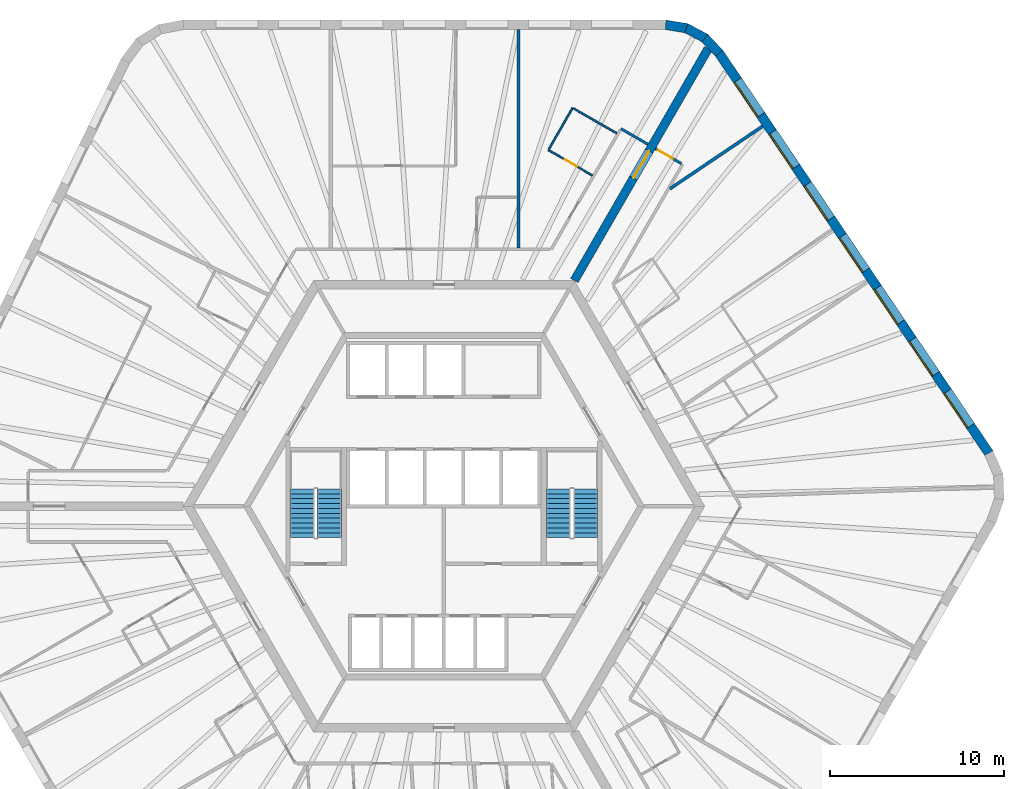
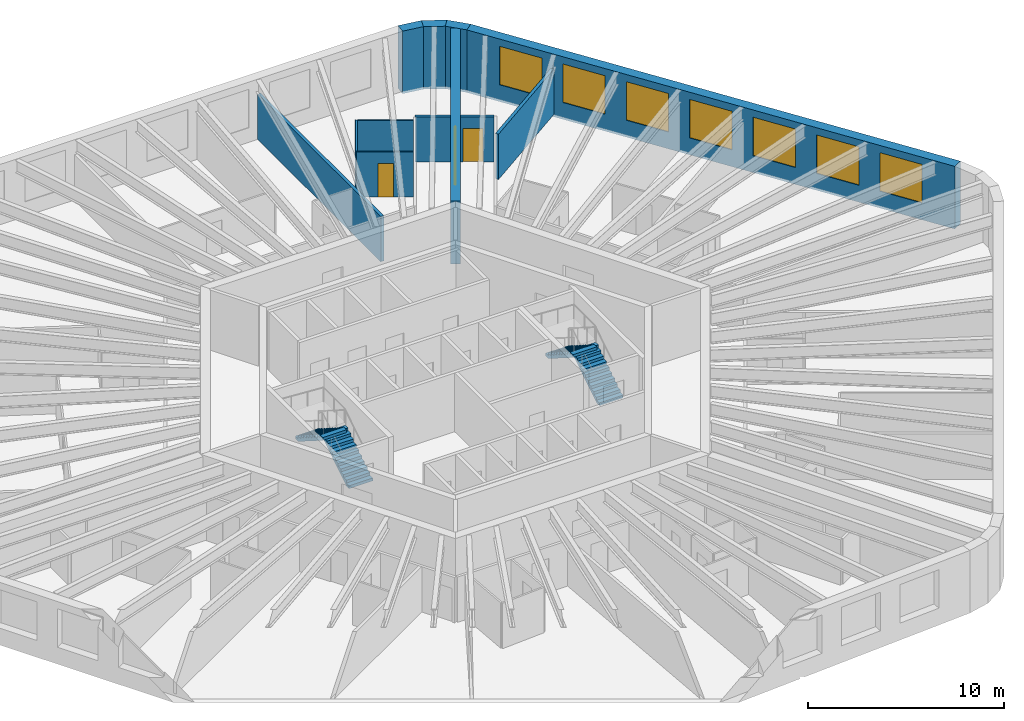
# One storey, part 9 of 10: 12 walls, 7 windows, 4 stair flights, 3 doors, 10 openings, 2 elements without a shape of their own.
"""IFC4 building model written with IfcOpenShell, lengths in metres."""

from ifc_helpers import new_model, si_unit, direction, frame, frame_2d, origin, place, context, subcontext, project, spatial, polyline, rectangle, outline, extrude, material, layer, layer_set, type_object, element, fill, aggregate, save


model = new_model("IFC4")

# Units and contexts
model_context = context("Model", 3, precision=1e-05, world=origin(), true_north=direction((0.0, 1.0)))
body_context = subcontext(model_context, "Body", "Model", "MODEL_VIEW")
ifc_project = project(units=[si_unit("LENGTHUNIT", "METRE"), si_unit("AREAUNIT", "SQUARE_METRE"), si_unit("VOLUMEUNIT", "CUBIC_METRE"), si_unit("PLANEANGLEUNIT", "RADIAN"), si_unit("MASSUNIT", "GRAM", prefix="KILO")], contexts=[model_context])

# Site, building, storey
site_placement = place(None, origin())
site = spatial("IfcSite", under=ifc_project, at=site_placement, CompositionType="ELEMENT")
building_placement = place(site_placement, origin())
building = spatial("IfcBuilding", under=site, at=building_placement, Name="Tarnside Tower", CompositionType="ELEMENT")
storey_placement = place(building_placement, frame((0.0, 0.0, 156.60009765625)))
storey = spatial("IfcBuildingStorey", under=building, at=storey_placement, Name="L36", CompositionType="ELEMENT", Elevation=156.60009765625)

# Wall, opening, door
ifc_material_1 = material(Name="Gypsum board partition on steel studs", Category="steel")
ifc_layer_1 = layer(ifc_material_1, 0.10009765625)
ifc_layer_set_1 = layer_set([ifc_layer_1], Name="Bathroom wall 100")
wall_type_1 = type_object("IfcWallType", Name="Bathroom wall 100", PredefinedType="PARTITIONING", material=ifc_layer_set_1)
wall_1_placement = place(storey_placement, frame((8.546142578125, 19.052490234375, 0.0), z_axis=(0.0, 0.0, 1.0), x_axis=(-0.866046596414, 0.499963291492, 0.0)))
wall_1 = element("IfcWall", 1, at=wall_1_placement, inside=storey, type_object=wall_type_1, Name="Bathroom wall 11048", PredefinedType="PARTITIONING", context=body_context, shape_type="SweptSolid", body=[
    extrude(rectangle(XDim=2.925048828125, YDim=0.10009765625, at=frame_2d((1.46240234375, 0.0))), origin(), (0.0, 0.0, 1.0), 2.8232421875),
])
opening_1_placement = place(wall_1_placement, frame((1.02490234375, 0.0, 0.0)))
opening_1 = element("IfcOpeningElement", 2, at=opening_1_placement, cuts=wall_1, Name="Opening D-B1", PredefinedType="OPENING", context=body_context, shape_type="SweptSolid", body=[
    extrude(rectangle(XDim=0.800048828125, YDim=2.10009765625, at=frame_2d((0.39990234375, 1.050048828125))), frame((0.0, 0.06005859375, 0.0), z_axis=(0.0, -1.0, 0.0), x_axis=(1.0, 0.0, 0.0)), (0.0, 0.0, 1.0), 0.1201171875),
])
ifc_material_2 = material(Name="Timber door leaf", Category="wood")
door_type_1 = type_object("IfcDoorType", Name="Bathroom door 800", OperationType="NOTDEFINED", PredefinedType="DOOR", material=ifc_material_2)
door_1_placement = place(opening_1_placement, origin())
door_1 = element("IfcDoor", 3, at=door_1_placement, inside=storey, type_object=door_type_1, Name="Bathroom door 11002", OperationType="SINGLE_SWING_RIGHT", OverallHeight=2.10009765625, OverallWidth=0.800048828125, PredefinedType="DOOR", context=body_context, shape_type="SweptSolid", body=[
    extrude(rectangle(XDim=0.800048828125, YDim=2.10009765625, at=frame_2d((0.39990234375, 1.050048828125))), frame((0.0, 0.02490234375, 0.0), z_axis=(0.0, -1.0, 0.0), x_axis=(1.0, 0.0, 0.0)), (0.0, 0.0, 1.0), 0.050048828125),
])
fill(opening_1, door_1)

# Walls
wall_2_placement = place(storey_placement, frame((6.0380859375, 20.55810546875, 0.0), z_axis=(0.0, 0.0, 1.0), x_axis=(0.499996545922, 0.866027397988, 0.0)))
element("IfcWall", 4, at=wall_2_placement, inside=storey, type_object=wall_type_1, Name="Bathroom wall 11049", PredefinedType="PARTITIONING", context=body_context, shape_type="SweptSolid", body=[
    extrude(rectangle(XDim=2.75, YDim=0.10009765625, at=frame_2d((1.375, 0.0))), origin(), (0.0, 0.0, 1.0), 2.8232421875),
])
wall_3_placement = place(storey_placement, frame((7.456298828125, 22.914794921875, 0.0), z_axis=(0.0, 0.0, 1.0), x_axis=(0.866018712932, -0.500011588718, 0.0)))
element("IfcWall", 5, at=wall_3_placement, inside=storey, type_object=wall_type_1, Name="Bathroom wall 11050", PredefinedType="PARTITIONING", context=body_context, shape_type="SweptSolid", body=[
    extrude(rectangle(XDim=2.875, YDim=0.10009765625, at=frame_2d((1.4375, 0.0))), origin(), (0.0, 0.0, 1.0), 2.8232421875),
])

# Wall, opening, door
ifc_material_3 = material(Name="Concrete C70/85", Category="concrete")
ifc_layer_2 = layer(ifc_material_3, 0.5)
ifc_layer_set_2 = layer_set([ifc_layer_2], Name="Core wall Z2 500 C70/85")
wall_type_2 = type_object("IfcWallType", Name="Core wall Z2 500 C70/85", PredefinedType="SHEAR", material=ifc_layer_set_2)
wall_4_placement = place(storey_placement, frame((7.505615234375, 13.0, -0.150146484375), z_axis=(0.0, 0.0, 1.0), x_axis=(0.499988271576, 0.866032175087, 0.0)))
wall_4 = element("IfcWall", 6, at=wall_4_placement, inside=storey, type_object=wall_type_2, Name="L36 spine wall 1", PredefinedType="SHEAR", context=body_context, shape_type="SweptSolid", body=[
    extrude(rectangle(XDim=15.423583984375, YDim=0.5, at=frame_2d((7.7119140625, 0.0))), origin(), (0.0, 0.0, 1.0), 3.900146484375),
])
opening_2_placement = place(wall_4_placement, frame((6.811767578125, 0.0, 0.14990234375)))
opening_2 = element("IfcOpeningElement", 7, at=opening_2_placement, cuts=wall_4, Name="Opening CD-SPN", PredefinedType="OPENING", context=body_context, shape_type="SweptSolid", body=[
    extrude(rectangle(XDim=1.800048828125, YDim=2.39990234375, at=frame_2d((0.89990234375, 1.199951171875))), frame((0.0, 0.260009765625, 0.0), z_axis=(0.0, -1.0, 0.0), x_axis=(1.0, 0.0, 0.0)), (0.0, 0.0, 1.0), 0.52001953125),
])
ifc_material_4 = material(Name="Steel fire door", Category="steel")
door_type_2 = type_object("IfcDoorType", Name="Spine passage double door FD60 1800x2400", OperationType="NOTDEFINED", PredefinedType="DOOR", material=ifc_material_4)
door_2_placement = place(opening_2_placement, origin())
door_2 = element("IfcDoor", 8, at=door_2_placement, inside=storey, type_object=door_type_2, Name="L36 spine passage door 1", OperationType="DOUBLE_DOOR_SINGLE_SWING", OverallHeight=2.39990234375, OverallWidth=1.800048828125, PredefinedType="DOOR", context=body_context, shape_type="SweptSolid", body=[
    extrude(rectangle(XDim=1.800048828125, YDim=2.39990234375, at=frame_2d((0.89990234375, 1.199951171875))), frame((0.0, 0.02490234375, 0.0), z_axis=(0.0, -1.0, 0.0), x_axis=(1.0, 0.0, 0.0)), (0.0, 0.0, 1.0), 0.050048828125),
])
fill(opening_2, door_2)

# Wall
ifc_layer_3 = layer(ifc_material_1, 0.14990234375)
ifc_layer_set_3 = layer_set([ifc_layer_3], Name="Corridor wall 150 EI 60")
wall_type_3 = type_object("IfcWallType", Name="Corridor wall 150 EI 60", PredefinedType="PARTITIONING", material=ifc_layer_set_3)
wall_5_placement = place(storey_placement, frame((11.744873046875, 20.8427734375, 0.0), z_axis=(0.0, 0.0, 1.0), x_axis=(-0.865989075817, 0.500062916607, 0.0)))
element("IfcWall", 9, at=wall_5_placement, inside=storey, type_object=wall_type_3, Name="Corridor wall 11003", PredefinedType="PARTITIONING", context=body_context, shape_type="SweptSolid", body=[
    extrude(rectangle(XDim=1.800048828125, YDim=0.14990234375, at=frame_2d((0.89990234375, 0.0))), origin(), (0.0, 0.0, 1.0), 2.8232421875),
])

# Wall, opening, door
wall_6_placement = place(storey_placement, frame((13.671875, 19.73046875, 0.0), z_axis=(0.0, 0.0, 1.0), x_axis=(-0.866074815912, 0.499914405916, 0.0)))
wall_6 = element("IfcWall", 10, at=wall_6_placement, inside=storey, type_object=wall_type_3, Name="Corridor wall 11047", PredefinedType="PARTITIONING", context=body_context, shape_type="SweptSolid", body=[
    extrude(rectangle(XDim=1.724853515625, YDim=0.14990234375, at=frame_2d((0.8623046875, 0.0))), origin(), (0.0, 0.0, 1.0), 2.8232421875),
])
opening_3_placement = place(wall_6_placement, frame((0.574951171875, 0.0, 0.0)))
opening_3 = element("IfcOpeningElement", 11, at=opening_3_placement, cuts=wall_6, Name="Opening D-E1", PredefinedType="OPENING", context=body_context, shape_type="SweptSolid", body=[
    extrude(rectangle(XDim=1.0, YDim=2.10009765625, at=frame_2d((0.5, 1.050048828125))), frame((0.0, 0.0849609375, 0.0), z_axis=(0.0, -1.0, 0.0), x_axis=(1.0, 0.0, 0.0)), (0.0, 0.0, 1.0), 0.169921875),
])
door_type_3 = type_object("IfcDoorType", Name="Unit entrance door 1000 FD30S", OperationType="NOTDEFINED", PredefinedType="DOOR", material=ifc_material_2)
door_3_placement = place(opening_3_placement, origin())
door_3 = element("IfcDoor", 12, at=door_3_placement, inside=storey, type_object=door_type_3, Name="Unit door 11037", OperationType="SINGLE_SWING_LEFT", OverallHeight=2.10009765625, OverallWidth=1.0, PredefinedType="DOOR", context=body_context, shape_type="SweptSolid", body=[
    extrude(rectangle(XDim=1.0, YDim=2.10009765625, at=frame_2d((0.5, 1.050048828125))), frame((0.0, 0.02490234375, 0.0), z_axis=(0.0, -1.0, 0.0), x_axis=(1.0, 0.0, 0.0)), (0.0, 0.0, 1.0), 0.050048828125),
])
fill(opening_3, door_3)

# Walls
ifc_layer_4 = layer(ifc_material_1, 0.179931640625)
ifc_layer_set_4 = layer_set([ifc_layer_4], Name="Demising wall 180 EI 60")
wall_type_4 = type_object("IfcWallType", Name="Demising wall 180 EI 60", PredefinedType="PARTITIONING", material=ifc_layer_set_4)
wall_7_placement = place(storey_placement, frame((4.2822265625, 27.449951171875, 0.0), z_axis=(0.0, 0.0, 1.0), x_axis=(0.0, -1.0, 0.0)))
element("IfcWall", 13, at=wall_7_placement, inside=storey, type_object=wall_type_4, Name="Demising wall 11051", PredefinedType="PARTITIONING", context=body_context, shape_type="SweptSolid", body=[
    extrude(rectangle(XDim=12.574951171875, YDim=0.179931640625, at=frame_2d((6.28759765625, 0.0))), origin(), (0.0, 0.0, 1.0), 2.8232421875),
])
wall_8_placement = place(storey_placement, frame((18.349609375, 21.88427734375, 0.0), z_axis=(0.0, 0.0, 1.0), x_axis=(-0.829047205772, -0.559178621374, 0.0)))
element("IfcWall", 14, at=wall_8_placement, inside=storey, type_object=wall_type_4, Name="Demising wall 11119", PredefinedType="PARTITIONING", context=body_context, shape_type="SweptSolid", body=[
    extrude(rectangle(XDim=6.442138671875, YDim=0.179931640625, at=frame_2d((3.22119140625, 0.0))), origin(), (0.0, 0.0, 1.0), 2.8232421875),
])

# Wall, openings, windows
ifc_material_5 = material(Name="Facing brick", Category="masonry")
ifc_layer_5 = layer(ifc_material_5, 0.10205078125)
ifc_material_6 = material(Name="Concrete C60/75 precast", Category="concrete")
ifc_layer_6 = layer(ifc_material_6, 0.347900390625)
ifc_material_7 = material(Name="Mineral wool insulation")
ifc_layer_7 = layer(ifc_material_7, 0.10009765625)
ifc_layer_set_5 = layer_set([ifc_layer_5, ifc_layer_6, ifc_layer_7], Name="Tube wall 550 brick faced")
wall_type_5 = type_object("IfcWallType", Name="Tube wall 550 brick faced", PredefinedType="SOLIDWALL", material=ifc_layer_set_5)
wall_9_placement = place(storey_placement, frame((31.37109375, 3.070556640625, -0.150146484375), z_axis=(0.0, 0.0, 1.0), x_axis=(-0.559189891278, 0.829039604297, 0.0)))
wall_9 = element("IfcWall", 15, at=wall_9_placement, inside=storey, type_object=wall_type_5, Name="Tube wall L36 F6 flush 20", PredefinedType="SOLIDWALL", context=body_context, shape_type="SweptSolid", body=[
    extrude(outline(polyline([(-0.025634765625, -0.27490234375), (27.780517578125, -0.27490234375), (27.735595703125, 0.27490234375), (0.025634765625, 0.27490234375), (-0.025634765625, -0.27490234375)])), origin(), (0.0, 0.0, 1.0), 3.900146484375),
])
opening_4_placement = place(wall_9_placement, frame((1.87890625, 0.0, 1.050048828125)))
opening_4 = element("IfcOpeningElement", 16, at=opening_4_placement, cuts=wall_9, Name="Opening WH", PredefinedType="OPENING", context=body_context, shape_type="SweptSolid", body=[
    extrude(rectangle(XDim=2.39990234375, YDim=2.39990234375, at=frame_2d((1.199951171875, 1.199951171875))), frame((0.0, 0.28515625, 0.0), z_axis=(0.0, -1.0, 0.0), x_axis=(1.0, 0.0, 0.0)), (0.0, 0.0, 1.0), 0.570068359375),
])
opening_5_placement = place(wall_9_placement, frame((5.47900390625, 0.0, 1.050048828125)))
opening_5 = element("IfcOpeningElement", 17, at=opening_5_placement, cuts=wall_9, Name="Opening WH", PredefinedType="OPENING", context=body_context, shape_type="SweptSolid", body=[
    extrude(rectangle(XDim=2.39990234375, YDim=2.39990234375, at=frame_2d((1.199951171875, 1.199951171875))), frame((0.0, 0.28515625, 0.0), z_axis=(0.0, -1.0, 0.0), x_axis=(1.0, 0.0, 0.0)), (0.0, 0.0, 1.0), 0.570068359375),
])
opening_6_placement = place(wall_9_placement, frame((9.078857421875, 0.0, 1.050048828125)))
opening_6 = element("IfcOpeningElement", 18, at=opening_6_placement, cuts=wall_9, Name="Opening WH", PredefinedType="OPENING", context=body_context, shape_type="SweptSolid", body=[
    extrude(rectangle(XDim=2.39990234375, YDim=2.39990234375, at=frame_2d((1.199951171875, 1.199951171875))), frame((0.0, 0.28515625, 0.0), z_axis=(0.0, -1.0, 0.0), x_axis=(1.0, 0.0, 0.0)), (0.0, 0.0, 1.0), 0.570068359375),
])
opening_7_placement = place(wall_9_placement, frame((12.678955078125, 0.0, 1.050048828125)))
opening_7 = element("IfcOpeningElement", 19, at=opening_7_placement, cuts=wall_9, Name="Opening WH", PredefinedType="OPENING", context=body_context, shape_type="SweptSolid", body=[
    extrude(rectangle(XDim=2.39990234375, YDim=2.39990234375, at=frame_2d((1.199951171875, 1.199951171875))), frame((0.0, 0.28515625, 0.0), z_axis=(0.0, -1.0, 0.0), x_axis=(1.0, 0.0, 0.0)), (0.0, 0.0, 1.0), 0.570068359375),
])
opening_8_placement = place(wall_9_placement, frame((16.27880859375, 0.0, 1.050048828125)))
opening_8 = element("IfcOpeningElement", 20, at=opening_8_placement, cuts=wall_9, Name="Opening WH", PredefinedType="OPENING", context=body_context, shape_type="SweptSolid", body=[
    extrude(rectangle(XDim=2.39990234375, YDim=2.39990234375, at=frame_2d((1.199951171875, 1.199951171875))), frame((0.0, 0.28515625, 0.0), z_axis=(0.0, -1.0, 0.0), x_axis=(1.0, 0.0, 0.0)), (0.0, 0.0, 1.0), 0.570068359375),
])
opening_9_placement = place(wall_9_placement, frame((19.87890625, 0.0, 1.050048828125)))
opening_9 = element("IfcOpeningElement", 21, at=opening_9_placement, cuts=wall_9, Name="Opening WH", PredefinedType="OPENING", context=body_context, shape_type="SweptSolid", body=[
    extrude(rectangle(XDim=2.39990234375, YDim=2.39990234375, at=frame_2d((1.199951171875, 1.199951171875))), frame((0.0, 0.28515625, 0.0), z_axis=(0.0, -1.0, 0.0), x_axis=(1.0, 0.0, 0.0)), (0.0, 0.0, 1.0), 0.570068359375),
])
opening_10_placement = place(wall_9_placement, frame((23.47900390625, 0.0, 1.050048828125)))
opening_10 = element("IfcOpeningElement", 22, at=opening_10_placement, cuts=wall_9, Name="Opening WH", PredefinedType="OPENING", context=body_context, shape_type="SweptSolid", body=[
    extrude(rectangle(XDim=2.39990234375, YDim=2.39990234375, at=frame_2d((1.199951171875, 1.199951171875))), frame((0.0, 0.28515625, 0.0), z_axis=(0.0, -1.0, 0.0), x_axis=(1.0, 0.0, 0.0)), (0.0, 0.0, 1.0), 0.570068359375),
])
ifc_material_8 = material(Name="Aluminium-framed double glazing", Category="aluminium")
window_type = type_object("IfcWindowType", Name="Hotel window 2400 x 2400", PartitioningType="DOUBLE_PANEL_VERTICAL", PredefinedType="WINDOW", material=ifc_material_8)
window_1_placement = place(opening_4_placement, frame((0.0, 0.205078125, 0.0)))
window_1 = element("IfcWindow", 23, at=window_1_placement, inside=storey, type_object=window_type, Name="E.WN.L36.F6.00", OverallHeight=2.39990234375, OverallWidth=2.39990234375, PartitioningType="DOUBLE_PANEL_VERTICAL", PredefinedType="WINDOW", context=body_context, shape_type="SweptSolid", body=[
    extrude(rectangle(XDim=2.39990234375, YDim=2.39990234375, at=frame_2d((1.199951171875, 1.199951171875))), frame((0.0, 0.030029296875, 0.0), z_axis=(0.0, -1.0, 0.0), x_axis=(1.0, 0.0, 0.0)), (0.0, 0.0, 1.0), 0.06005859375),
])
fill(opening_4, window_1)
window_2_placement = place(opening_5_placement, frame((0.0, 0.205078125, 0.0)))
window_2 = element("IfcWindow", 24, at=window_2_placement, inside=storey, type_object=window_type, Name="E.WN.L36.F6.01", OverallHeight=2.39990234375, OverallWidth=2.39990234375, PartitioningType="DOUBLE_PANEL_VERTICAL", PredefinedType="WINDOW", context=body_context, shape_type="SweptSolid", body=[
    extrude(rectangle(XDim=2.39990234375, YDim=2.39990234375, at=frame_2d((1.199951171875, 1.199951171875))), frame((0.0, 0.030029296875, 0.0), z_axis=(0.0, -1.0, 0.0), x_axis=(1.0, 0.0, 0.0)), (0.0, 0.0, 1.0), 0.06005859375),
])
fill(opening_5, window_2)
window_3_placement = place(opening_6_placement, frame((0.0, 0.205078125, 0.0)))
window_3 = element("IfcWindow", 25, at=window_3_placement, inside=storey, type_object=window_type, Name="E.WN.L36.F6.02", OverallHeight=2.39990234375, OverallWidth=2.39990234375, PartitioningType="DOUBLE_PANEL_VERTICAL", PredefinedType="WINDOW", context=body_context, shape_type="SweptSolid", body=[
    extrude(rectangle(XDim=2.39990234375, YDim=2.39990234375, at=frame_2d((1.199951171875, 1.199951171875))), frame((0.0, 0.030029296875, 0.0), z_axis=(0.0, -1.0, 0.0), x_axis=(1.0, 0.0, 0.0)), (0.0, 0.0, 1.0), 0.06005859375),
])
fill(opening_6, window_3)
window_4_placement = place(opening_7_placement, frame((0.0, 0.205078125, 0.0)))
window_4 = element("IfcWindow", 26, at=window_4_placement, inside=storey, type_object=window_type, Name="E.WN.L36.F6.03", OverallHeight=2.39990234375, OverallWidth=2.39990234375, PartitioningType="DOUBLE_PANEL_VERTICAL", PredefinedType="WINDOW", context=body_context, shape_type="SweptSolid", body=[
    extrude(rectangle(XDim=2.39990234375, YDim=2.39990234375, at=frame_2d((1.199951171875, 1.199951171875))), frame((0.0, 0.030029296875, 0.0), z_axis=(0.0, -1.0, 0.0), x_axis=(1.0, 0.0, 0.0)), (0.0, 0.0, 1.0), 0.06005859375),
])
fill(opening_7, window_4)
window_5_placement = place(opening_8_placement, frame((0.0, 0.205078125, 0.0)))
window_5 = element("IfcWindow", 27, at=window_5_placement, inside=storey, type_object=window_type, Name="E.WN.L36.F6.04", OverallHeight=2.39990234375, OverallWidth=2.39990234375, PartitioningType="DOUBLE_PANEL_VERTICAL", PredefinedType="WINDOW", context=body_context, shape_type="SweptSolid", body=[
    extrude(rectangle(XDim=2.39990234375, YDim=2.39990234375, at=frame_2d((1.199951171875, 1.199951171875))), frame((0.0, 0.030029296875, 0.0), z_axis=(0.0, -1.0, 0.0), x_axis=(1.0, 0.0, 0.0)), (0.0, 0.0, 1.0), 0.06005859375),
])
fill(opening_8, window_5)
window_6_placement = place(opening_9_placement, frame((0.0, 0.205078125, 0.0)))
window_6 = element("IfcWindow", 28, at=window_6_placement, inside=storey, type_object=window_type, Name="E.WN.L36.F6.05", OverallHeight=2.39990234375, OverallWidth=2.39990234375, PartitioningType="DOUBLE_PANEL_VERTICAL", PredefinedType="WINDOW", context=body_context, shape_type="SweptSolid", body=[
    extrude(rectangle(XDim=2.39990234375, YDim=2.39990234375, at=frame_2d((1.199951171875, 1.199951171875))), frame((0.0, 0.030029296875, 0.0), z_axis=(0.0, -1.0, 0.0), x_axis=(1.0, 0.0, 0.0)), (0.0, 0.0, 1.0), 0.06005859375),
])
fill(opening_9, window_6)
window_7_placement = place(opening_10_placement, frame((0.0, 0.205078125, 0.0)))
window_7 = element("IfcWindow", 29, at=window_7_placement, inside=storey, type_object=window_type, Name="E.WN.L36.F6.06", OverallHeight=2.39990234375, OverallWidth=2.39990234375, PartitioningType="DOUBLE_PANEL_VERTICAL", PredefinedType="WINDOW", context=body_context, shape_type="SweptSolid", body=[
    extrude(rectangle(XDim=2.39990234375, YDim=2.39990234375, at=frame_2d((1.199951171875, 1.199951171875))), frame((0.0, 0.030029296875, 0.0), z_axis=(0.0, -1.0, 0.0), x_axis=(1.0, 0.0, 0.0)), (0.0, 0.0, 1.0), 0.06005859375),
])
fill(opening_10, window_7)

# Walls
wall_10_placement = place(storey_placement, frame((15.84912109375, 26.0830078125, -0.150146484375), z_axis=(0.0, 0.0, 1.0), x_axis=(-0.686196220404, 0.727416488061, 0.0)))
element("IfcWall", 30, at=wall_10_placement, inside=storey, type_object=wall_type_5, Name="Tube wall L36 F6 chord 21", PredefinedType="SOLIDWALL", context=body_context, shape_type="SweptSolid", body=[
    extrude(outline(polyline([(-0.0224609375, -0.27490234375), (1.25341796875, -0.27490234375), (1.1630859375, 0.27490234375), (0.0224609375, 0.27490234375), (-0.0224609375, -0.27490234375)])), origin(), (0.0, 0.0, 1.0), 3.900146484375),
])
wall_11_placement = place(storey_placement, frame((15.02001953125, 26.9619140625, -0.150146484375), z_axis=(0.0, 0.0, 1.0), x_axis=(-0.882950818639, 0.469465495926, 0.0)))
element("IfcWall", 31, at=wall_11_placement, inside=storey, type_object=wall_type_5, Name="Tube wall L36 F6 chord 22", PredefinedType="SOLIDWALL", context=body_context, shape_type="SweptSolid", body=[
    extrude(outline(polyline([(-0.045166015625, -0.27490234375), (1.253173828125, -0.27490234375), (1.162841796875, 0.27490234375), (0.045166015625, 0.27490234375), (-0.045166015625, -0.27490234375)])), origin(), (0.0, 0.0, 1.0), 3.900146484375),
])
wall_12_placement = place(storey_placement, frame((13.953369140625, 27.529052734375, -0.150146484375), z_axis=(0.0, 0.0, 1.0), x_axis=(-0.986751945211, 0.162236243244, 0.0)))
element("IfcWall", 32, at=wall_12_placement, inside=storey, type_object=wall_type_5, Name="Tube wall L36 F6 chord 23", PredefinedType="SOLIDWALL", context=body_context, shape_type="SweptSolid", body=[
    extrude(outline(polyline([(-0.045166015625, -0.27490234375), (1.23095703125, -0.27490234375), (1.18603515625, 0.27490234375), (0.045166015625, 0.27490234375), (-0.045166015625, -0.27490234375)])), origin(), (0.0, 0.0, 1.0), 3.900146484375),
])

# Stair, stair flights
ifc_material_9 = material(Name="Concrete C40/50", Category="concrete")
stair_type = type_object("IfcStairType", Name="Exit stair 1400 clear", PredefinedType="HALF_TURN_STAIR", material=ifc_material_9)
stair_1_placement = place(storey_placement, origin())
stair_1 = element("IfcStair", 33, at=stair_1_placement, inside=storey, type_object=stair_type, Name="L36 Exit stair 1", PredefinedType="HALF_TURN_STAIR")
stair_flight_type = type_object("IfcStairFlightType", Name="Exit stair flight 1400", PredefinedType="STRAIGHT", material=ifc_material_9)
stair_flight_1_placement = place(storey_placement, frame((8.14990234375, -1.800048828125, 0.0), z_axis=(0.0, 0.0, 1.0), x_axis=(0.0, 1.0, 0.0)))
stair_flight_1 = element("IfcStairFlight", 34, at=stair_flight_1_placement, type_object=stair_flight_type, Name="ST1 flight 1", NumberOfRisers=11, NumberOfTreads=10, PredefinedType="STRAIGHT", RiserHeight=0.177272727, TreadLength=0.28, context=body_context, shape_type="SweptSolid", body=[
    extrude(outline(polyline([(0.0, 0.0), (0.0, 0.17724609375), (0.280029296875, 0.17724609375), (0.280029296875, 0.3544921875), (0.56005859375, 0.3544921875), (0.56005859375, 0.53173828125), (0.840087890625, 0.53173828125), (0.840087890625, 0.708984375), (1.1201171875, 0.708984375), (1.1201171875, 0.886474609375), (1.39990234375, 0.886474609375), (1.39990234375, 1.063720703125), (1.679931640625, 1.063720703125), (1.679931640625, 1.240966796875), (1.9599609375, 1.240966796875), (1.9599609375, 1.418212890625), (2.239990234375, 1.418212890625), (2.239990234375, 1.595458984375), (2.52001953125, 1.595458984375), (2.52001953125, 1.772705078125), (2.800048828125, 1.772705078125), (2.800048828125, 1.949951171875), (2.800048828125, 1.59521484375), (0.2802734375, 0.0), (0.0, 0.0)])), frame((0.0, 0.699951171875, 0.0), z_axis=(0.0, -1.0, 0.0), x_axis=(1.0, 0.0, 0.0)), (0.0, 0.0, 1.0), 1.39990234375),
])
stair_flight_2_placement = place(storey_placement, frame((6.60009765625, 1.0, 1.949951171875), z_axis=(0.0, 0.0, 1.0), x_axis=(0.0, -1.0, 0.0)))
stair_flight_2 = element("IfcStairFlight", 35, at=stair_flight_2_placement, type_object=stair_flight_type, Name="ST1 flight 2", NumberOfRisers=11, NumberOfTreads=10, PredefinedType="STRAIGHT", RiserHeight=0.177272727, TreadLength=0.28, context=body_context, shape_type="SweptSolid", body=[
    extrude(outline(polyline([(0.0, 0.0), (0.0, 0.17724609375), (0.280029296875, 0.17724609375), (0.280029296875, 0.3544921875), (0.56005859375, 0.3544921875), (0.56005859375, 0.53173828125), (0.840087890625, 0.53173828125), (0.840087890625, 0.708984375), (1.1201171875, 0.708984375), (1.1201171875, 0.886474609375), (1.39990234375, 0.886474609375), (1.39990234375, 1.063720703125), (1.679931640625, 1.063720703125), (1.679931640625, 1.240966796875), (1.9599609375, 1.240966796875), (1.9599609375, 1.418212890625), (2.239990234375, 1.418212890625), (2.239990234375, 1.595458984375), (2.52001953125, 1.595458984375), (2.52001953125, 1.772705078125), (2.800048828125, 1.772705078125), (2.800048828125, 1.949951171875), (2.800048828125, 1.59521484375), (0.2802734375, 0.0), (0.0, 0.0)])), frame((0.0, 0.699951171875, 0.0), z_axis=(0.0, -1.0, 0.0), x_axis=(1.0, 0.0, 0.0)), (0.0, 0.0, 1.0), 1.39990234375),
])
aggregate(stair_1, [stair_flight_1, stair_flight_2])

stair_2_placement = place(storey_placement, origin())
stair_2 = element("IfcStair", 36, at=stair_2_placement, inside=storey, type_object=stair_type, Name="L36 Exit stair 2", PredefinedType="HALF_TURN_STAIR")
stair_flight_3_placement = place(storey_placement, frame((-6.60009765625, -1.800048828125, 0.0), z_axis=(0.0, 0.0, 1.0), x_axis=(0.0, 1.0, 0.0)))
stair_flight_3 = element("IfcStairFlight", 37, at=stair_flight_3_placement, type_object=stair_flight_type, Name="ST2 flight 1", NumberOfRisers=11, NumberOfTreads=10, PredefinedType="STRAIGHT", RiserHeight=0.177272727, TreadLength=0.28, context=body_context, shape_type="SweptSolid", body=[
    extrude(outline(polyline([(0.0, 0.0), (0.0, 0.17724609375), (0.280029296875, 0.17724609375), (0.280029296875, 0.3544921875), (0.56005859375, 0.3544921875), (0.56005859375, 0.53173828125), (0.840087890625, 0.53173828125), (0.840087890625, 0.708984375), (1.1201171875, 0.708984375), (1.1201171875, 0.886474609375), (1.39990234375, 0.886474609375), (1.39990234375, 1.063720703125), (1.679931640625, 1.063720703125), (1.679931640625, 1.240966796875), (1.9599609375, 1.240966796875), (1.9599609375, 1.418212890625), (2.239990234375, 1.418212890625), (2.239990234375, 1.595458984375), (2.52001953125, 1.595458984375), (2.52001953125, 1.772705078125), (2.800048828125, 1.772705078125), (2.800048828125, 1.949951171875), (2.800048828125, 1.59521484375), (0.2802734375, 0.0), (0.0, 0.0)])), frame((0.0, 0.699951171875, 0.0), z_axis=(0.0, -1.0, 0.0), x_axis=(1.0, 0.0, 0.0)), (0.0, 0.0, 1.0), 1.39990234375),
])
stair_flight_4_placement = place(storey_placement, frame((-8.14990234375, 1.0, 1.949951171875), z_axis=(0.0, 0.0, 1.0), x_axis=(0.0, -1.0, 0.0)))
stair_flight_4 = element("IfcStairFlight", 38, at=stair_flight_4_placement, type_object=stair_flight_type, Name="ST2 flight 2", NumberOfRisers=11, NumberOfTreads=10, PredefinedType="STRAIGHT", RiserHeight=0.177272727, TreadLength=0.28, context=body_context, shape_type="SweptSolid", body=[
    extrude(outline(polyline([(0.0, 0.0), (0.0, 0.17724609375), (0.280029296875, 0.17724609375), (0.280029296875, 0.3544921875), (0.56005859375, 0.3544921875), (0.56005859375, 0.53173828125), (0.840087890625, 0.53173828125), (0.840087890625, 0.708984375), (1.1201171875, 0.708984375), (1.1201171875, 0.886474609375), (1.39990234375, 0.886474609375), (1.39990234375, 1.063720703125), (1.679931640625, 1.063720703125), (1.679931640625, 1.240966796875), (1.9599609375, 1.240966796875), (1.9599609375, 1.418212890625), (2.239990234375, 1.418212890625), (2.239990234375, 1.595458984375), (2.52001953125, 1.595458984375), (2.52001953125, 1.772705078125), (2.800048828125, 1.772705078125), (2.800048828125, 1.949951171875), (2.800048828125, 1.59521484375), (0.2802734375, 0.0), (0.0, 0.0)])), frame((0.0, 0.699951171875, 0.0), z_axis=(0.0, -1.0, 0.0), x_axis=(1.0, 0.0, 0.0)), (0.0, 0.0, 1.0), 1.39990234375),
])
aggregate(stair_2, [stair_flight_3, stair_flight_4])

save(model, "model.ifc")
